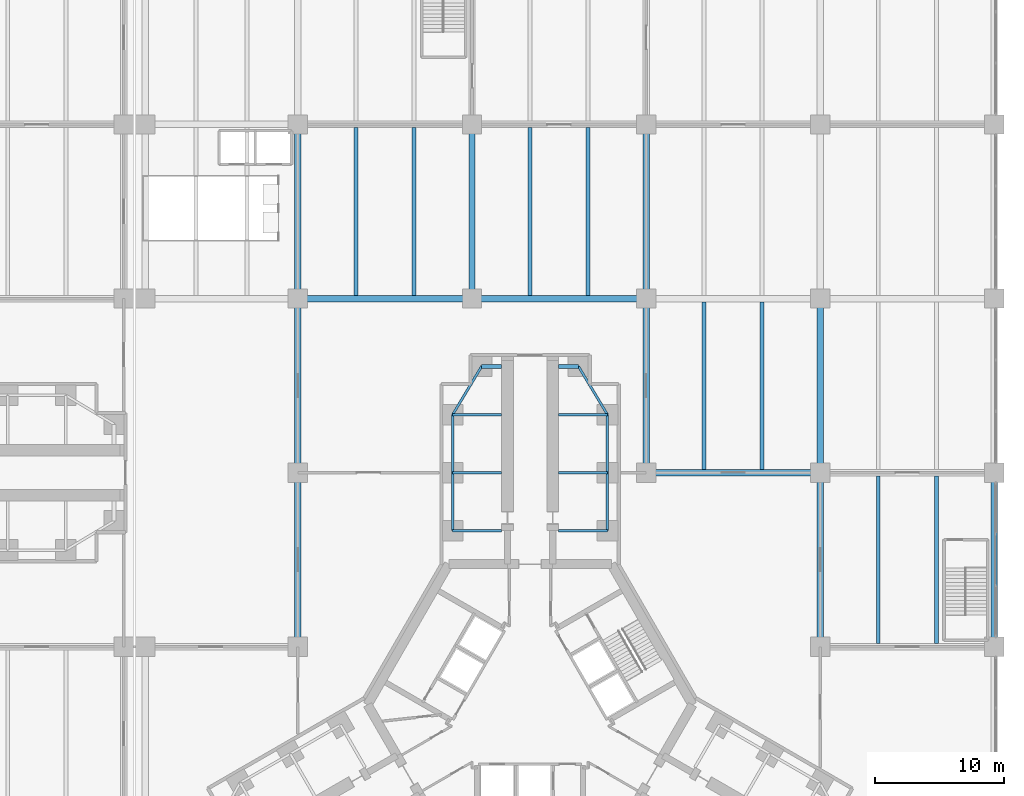
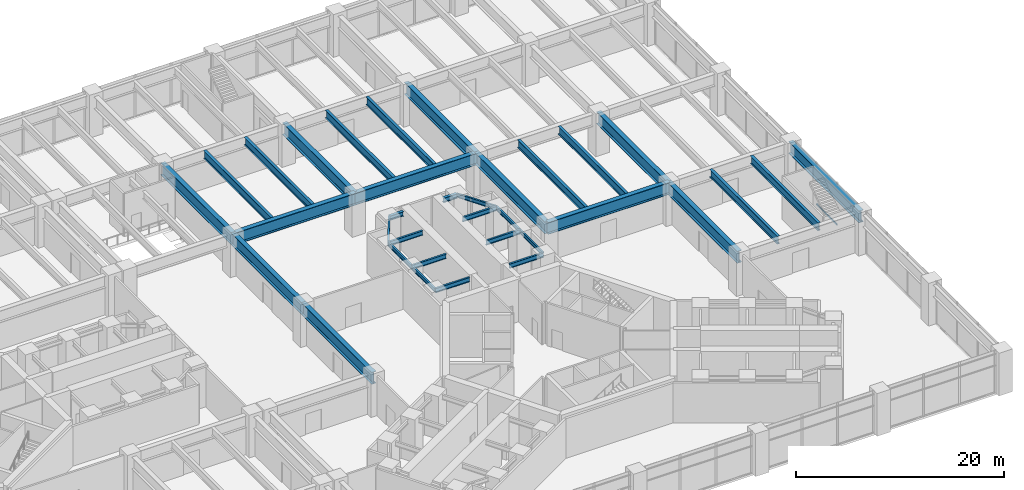
# One storey, part 11 of 31: 34 beams, 1 member, 1 element without a shape of its own.
"""IFC4 building model written with IfcOpenShell, lengths in metres."""

import ifcopenshell
import ifcopenshell.guid

model = None  # the IFC model being written
_history = None  # IfcOwnerHistory: only IFC2X3 demands one
_inside = {}  # id of a spatial element -> (the spatial element, [elements in it])
_under = {}  # id of a project, library or spatial element -> (it, [spatial elements below it])
_declared = {}  # id of a project -> (the project, [libraries it declares])
_typed = {}  # id of a type object -> (the type object, [elements of that type])
_made_of = {}  # id of a material, layer set ... -> (it, [elements and type objects made of it])


def new_model(schema):
    """Start an empty IFC model of exactly this schema.

    Asked for "IFC4X3", IfcOpenShell would pick the latest addendum, in which some entities
    have other attributes; the version numbers below select the first issue.
    IFC2X3 requires an IfcOwnerHistory on every rooted entity: one is made here for all.
    """
    global model, _history
    if schema == "IFC4X3":
        model = ifcopenshell.file(schema_version=(4, 3, 0, 0))
    else:
        model = ifcopenshell.file(schema=schema)
    _inside.clear()
    _under.clear()
    _declared.clear()
    _typed.clear()
    _made_of.clear()
    _history = None
    if model.schema == "IFC2X3":
        org = make("IfcOrganization", Name="unknown")
        user = make(
            "IfcPersonAndOrganization",
            ThePerson=make("IfcPerson", FamilyName="unknown"),
            TheOrganization=org,
        )
        app = make(
            "IfcApplication",
            ApplicationDeveloper=org,
            Version="unknown",
            ApplicationFullName="unknown",
            ApplicationIdentifier="unknown",
        )
        _history = make(
            "IfcOwnerHistory",
            OwningUser=user,
            OwningApplication=app,
            ChangeAction="ADDED",
            CreationDate=0,
        )
    return model


def make(cls, **values):
    """One entity of the class cls with the attributes given. An attribute that is None is left unset."""
    return model.create_entity(
        cls, **{name: value for name, value in values.items() if value is not None}
    )


def rooted(cls, **values):
    """An entity with a GlobalId (a new one), such as an element, a storey or a relation."""
    return make(cls, GlobalId=ifcopenshell.guid.new(), OwnerHistory=_history, **values)


def si_unit(unit_type, name, prefix=None):
    """IfcSIUnit, for example si_unit("LENGTHUNIT", "METRE", prefix="MILLI")."""
    return make("IfcSIUnit", UnitType=unit_type, Prefix=prefix, Name=name)


def assignment(units):
    """IfcUnitAssignment: the units of a project."""
    return None if units is None else make("IfcUnitAssignment", Units=units)


def point(xyz):
    """IfcCartesianPoint."""
    return None if xyz is None else make("IfcCartesianPoint", Coordinates=xyz)


def direction(xyz):
    """IfcDirection."""
    return None if xyz is None else make("IfcDirection", DirectionRatios=xyz)


def frame(location, z_axis=None, x_axis=None):
    """IfcAxis2Placement3D, a coordinate frame: its origin and axes. An axis left out is left unset."""
    return make(
        "IfcAxis2Placement3D",
        Location=point(location),
        Axis=direction(z_axis),
        RefDirection=direction(x_axis),
    )


def frame_2d(location, x_axis=None):
    """IfcAxis2Placement2D, a coordinate frame in the plane: its origin and x axis."""
    return make(
        "IfcAxis2Placement2D", Location=point(location), RefDirection=direction(x_axis)
    )


def origin():
    """The frame at (0, 0, 0) with its axes left unset."""
    return frame((0.0, 0.0, 0.0))


def origin_2d():
    """The frame at (0, 0) in the plane with its x axis left unset."""
    return frame_2d((0.0, 0.0))


def place(relative_to, where):
    """IfcLocalPlacement: puts the frame where relative to a parent placement (None: the world)."""
    return make(
        "IfcLocalPlacement", PlacementRelTo=relative_to, RelativePlacement=where
    )


def context(
    kind, dimensions, precision=None, world=None, true_north=None, identifier=None
):
    """IfcGeometricRepresentationContext, for example the 3D "Model" context."""
    return make(
        "IfcGeometricRepresentationContext",
        ContextIdentifier=identifier,
        ContextType=kind,
        CoordinateSpaceDimension=dimensions,
        Precision=precision,
        WorldCoordinateSystem=world,
        TrueNorth=true_north,
    )


def subcontext(parent, identifier, kind, view, scale=None):
    """IfcGeometricRepresentationSubContext, for example "Body" below "Model"."""
    return make(
        "IfcGeometricRepresentationSubContext",
        ContextIdentifier=identifier,
        ContextType=kind,
        ParentContext=parent,
        TargetScale=scale,
        TargetView=view,
    )


def project(units=None, contexts=None):
    """IfcProject with its units and contexts."""
    return rooted(
        "IfcProject",
        Name="project",
        RepresentationContexts=contexts,
        UnitsInContext=assignment(units),
    )


def spatial(cls, under=None, at=None, **own):
    """A site, building, storey or space (cls), placed at a placement, below another one or the project."""
    s = rooted(cls, ObjectPlacement=at, **own)
    if under is not None:
        _under.setdefault(under.id(), (under, []))[1].append(s)
    return s


def profile(cls, at=None, kind="AREA", **sizes):
    """A parametric profile (cls). Its sizes go by their IFC names, for example OverallWidth=200.0."""
    return make(cls, ProfileType=kind, Position=at, **sizes)


def rectangle(**sizes):
    """IfcRectangleProfileDef."""
    return profile("IfcRectangleProfileDef", **sizes)


def i_section(**sizes):
    """IfcIShapeProfileDef."""
    return profile("IfcIShapeProfileDef", **sizes)


def extrude(swept, where, along, depth):
    """IfcExtrudedAreaSolid: the profile swept, set in the frame where, extruded along a direction by depth."""
    return make(
        "IfcExtrudedAreaSolid",
        SweptArea=swept,
        Position=where,
        ExtrudedDirection=direction(along),
        Depth=depth,
    )


def shape(context_of_items, identifier, shape_type, items):
    """IfcShapeRepresentation: the items that make up one representation, for example the "Body"."""
    return make(
        "IfcShapeRepresentation",
        ContextOfItems=context_of_items,
        RepresentationIdentifier=identifier,
        RepresentationType=shape_type,
        Items=items,
    )


def material(Name=None, Category=None):
    """IfcMaterial."""
    return make("IfcMaterial", Name=Name, Category=Category)


def material_profile(
    of_material, cross_section, Name=None, Category=None, Priority=None
):
    """IfcMaterialProfile: a cross section and its material."""
    return make(
        "IfcMaterialProfile",
        Name=Name,
        Material=of_material,
        Profile=cross_section,
        Priority=Priority,
        Category=Category,
    )


def profile_set(profiles, Name=None, composite=None):
    """IfcMaterialProfileSet."""
    return make(
        "IfcMaterialProfileSet",
        Name=Name,
        MaterialProfiles=profiles,
        CompositeProfile=composite,
    )


def made_of(thing, what):
    """Note that an element or type object is made of a material, layer set ...; save() writes the relation."""
    if what is not None:
        _made_of.setdefault(what.id(), (what, []))[1].append(thing)
    return thing


def type_object(cls, material=None, **own):
    """A type object (cls), such as IfcWallType, which elements share."""
    return made_of(rooted(cls, **own), material)


def element(
    cls,
    number,
    at=None,
    inside=None,
    cuts=None,
    type_object=None,
    material=None,
    context=None,
    identifier="Body",
    shape_type=None,
    held_by="IfcProductDefinitionShape",
    body=None,
    shapes=None,
    **own,
):
    """One element of the class cls, such as IfcWall. Its Tag is "e" and its number.

    at: its placement. inside: the storey or other place that contains it. cuts: it is an
    opening in that element (IfcRelVoidsElement). A single representation is given by context,
    identifier, shape_type and body (its items); several are given by shapes. held_by: the class
    of the entity that holds the representations. save() writes the other relations.
    """
    e = rooted(cls, Tag="e%d" % number, ObjectPlacement=at, **own)
    if body is not None:
        shapes = [shape(context, identifier, shape_type, body)]
    if shapes is not None:
        e.Representation = make(held_by, Representations=shapes)
    if inside is not None:
        _inside.setdefault(inside.id(), (inside, []))[1].append(e)
    if cuts is not None:
        rooted(
            "IfcRelVoidsElement", RelatingBuildingElement=cuts, RelatedOpeningElement=e
        )
    if type_object is not None:
        _typed.setdefault(type_object.id(), (type_object, []))[1].append(e)
    return made_of(e, material)


def aggregate(whole, parts):
    """IfcRelAggregates: a whole, such as a stair, and the parts it consists of."""
    return rooted("IfcRelAggregates", RelatingObject=whole, RelatedObjects=parts)


def save(model, path):
    """Write the relations noted so far, then the file.

    IfcRelAggregates (storeys below a building ...), IfcRelContainedInSpatialStructure (elements
    in a storey), IfcRelDefinesByType, IfcRelAssociatesMaterial and IfcRelDeclares: one each for
    every whole, place, type object, material and project.
    """
    for whole, parts in _under.values():
        aggregate(whole, parts)
    for where, things in _inside.values():
        rooted(
            "IfcRelContainedInSpatialStructure",
            RelatedElements=things,
            RelatingStructure=where,
        )
    for kind, things in _typed.values():
        rooted("IfcRelDefinesByType", RelatedObjects=things, RelatingType=kind)
    for what, things in _made_of.values():
        rooted("IfcRelAssociatesMaterial", RelatedObjects=things, RelatingMaterial=what)
    for by, libraries in _declared.values():
        rooted("IfcRelDeclares", RelatingContext=by, RelatedDefinitions=libraries)
    model.write(path)


model = new_model("IFC4")

# Units and contexts
model_context = context("Model", 3, precision=1e-05, world=origin(), true_north=direction((0.0, 1.0)))
body_context = subcontext(model_context, "Body", "Model", "MODEL_VIEW")
ifc_project = project(units=[si_unit("LENGTHUNIT", "METRE"), si_unit("AREAUNIT", "SQUARE_METRE"), si_unit("VOLUMEUNIT", "CUBIC_METRE"), si_unit("PLANEANGLEUNIT", "RADIAN"), si_unit("MASSUNIT", "GRAM", prefix="KILO")], contexts=[model_context])

# Site, building, storey
site_placement = place(None, origin())
site = spatial("IfcSite", under=ifc_project, at=site_placement, CompositionType="ELEMENT")
building_placement = place(site_placement, origin())
building = spatial("IfcBuilding", under=site, at=building_placement, Name="Upepo Twin Towers", CompositionType="ELEMENT")
storey_placement = place(building_placement, frame((0.0, 0.0, 15.5)))
storey = spatial("IfcBuildingStorey", under=building, at=storey_placement, Name="L03", CompositionType="ELEMENT", Elevation=15.5)

# Beams
ifc_material_1 = material(Name="Steel S355", Category="steel")
ifc_material_profile_1 = material_profile(ifc_material_1, i_section(OverallWidth=0.5, OverallDepth=1.39990234375, WebThickness=0.02490234375, FlangeThickness=0.050048828125, FilletRadius=0.008056640625, at=origin_2d()), Name="PG 1400x500x25x50")
ifc_profile_set_1 = profile_set([ifc_material_profile_1], Name="Steel S355")
beam_type_1 = type_object("IfcBeamType", Name="Beam PG 1400x500x25x50", PredefinedType="BEAM", material=ifc_profile_set_1)
for number, where, z_axis, x_axis, name in (
    (1, (67.5, 0.0, 3.949951171875), (1.0, 0.0, 0.0), (0.0, 1.0, 0.0), "Podium girder D/8-9"),
    (2, (40.5, 13.5, 3.949951171875), (1.0, 0.0, 0.0), (0.0, 1.0, 0.0), "Podium girder E/6-7"),
    (3, (54.0, 13.5, 3.949951171875), (1.0, 0.0, 0.0), (0.0, 1.0, 0.0), "Podium girder E/7-8"),
    (4, (40.5, -13.5, 3.949951171875), (0.0, 1.0, 0.0), (-1.0, 0.0, 0.0), "Podium girder 6/C-D"),
    (5, (40.5, 0.0, 3.949951171875), (0.0, 1.0, 0.0), (-1.0, 0.0, 0.0), "Podium girder 6/D-E"),
    (6, (40.5, 13.5, 3.949951171875), (0.0, 1.0, 0.0), (-1.0, 0.0, 0.0), "Podium girder 6/E-F"),
    (7, (54.0, 13.5, 3.949951171875), (0.0, 1.0, 0.0), (-1.0, 0.0, 0.0), "Podium girder 7/E-F"),
    (8, (67.5, 0.0, 3.949951171875), (0.0, 1.0, 0.0), (-1.0, 0.0, 0.0), "Podium girder 8/D-E"),
    (9, (67.5, 13.5, 3.949951171875), (0.0, 1.0, 0.0), (-1.0, 0.0, 0.0), "Podium girder 8/E-F"),
    (10, (81.0, -13.5, 3.949951171875), (0.0, 1.0, 0.0), (-1.0, 0.0, 0.0), "Podium girder 9/C-D"),
    (11, (81.0, 0.0, 3.949951171875), (0.0, 1.0, 0.0), (-1.0, 0.0, 0.0), "Podium girder 9/D-E"),
    (12, (94.5, -13.5, 3.949951171875), (0.0, 1.0, 0.0), (-1.0, 0.0, 0.0), "Podium girder 10/C-D"),
):
    element("IfcBeam", number, at=place(storey_placement, frame(where, z_axis=z_axis, x_axis=x_axis)), inside=storey, type_object=beam_type_1, Name=name, PredefinedType="BEAM", context=body_context, shape_type="SweptSolid", body=[
        extrude(i_section(OverallWidth=0.5, OverallDepth=1.39990234375, WebThickness=0.02490234375, FlangeThickness=0.050048828125, FilletRadius=0.008056640625, at=origin_2d()), origin(), (0.0, 0.0, 1.0), 13.5),
    ])
ifc_material_2 = material(Name="Steel S355", Category="steel")
ifc_material_profile_2 = material_profile(ifc_material_2, i_section(OverallWidth=0.1904296875, OverallDepth=0.45703125, WebThickness=0.009033203125, FlangeThickness=0.014404296875, FilletRadius=0.01025390625, at=origin_2d()), Name="UB 457x191x74")
ifc_profile_set_2 = profile_set([ifc_material_profile_2], Name="Steel S355")
beam_type_2 = type_object("IfcBeamType", Name="Beam UB 457x191x74", PredefinedType="BEAM", material=ifc_profile_set_2)
for number, where, z_axis, x_axis, name in (
    (13, (52.5, -4.5, 4.571533203125), (0.0, 1.0, 0.0), (-1.0, 0.0, 0.0), "T2 edge beam AL 13.5-18.0"),
    (14, (52.5, 0.0, 4.571533203125), (0.0, 1.0, 0.0), (-1.0, 0.0, 0.0), "T2 edge beam AL 18.0-22.5"),
):
    element("IfcBeam", number, at=place(storey_placement, frame(where, z_axis=z_axis, x_axis=x_axis)), inside=storey, type_object=beam_type_2, Name=name, PredefinedType="BEAM", context=body_context, shape_type="SweptSolid", body=[
        extrude(i_section(OverallWidth=0.1904296875, OverallDepth=0.45703125, WebThickness=0.009033203125, FlangeThickness=0.014404296875, FilletRadius=0.01025390625, at=origin_2d()), origin(), (0.0, 0.0, 1.0), 4.5),
    ])
beam_1_placement = place(storey_placement, frame((52.5, 4.5, 4.571533203125), z_axis=(0.514495755428, 0.857492925713, 0.0), x_axis=(-0.857492925713, 0.514495755428, 0.0)))
element("IfcBeam", 15, at=beam_1_placement, inside=storey, type_object=beam_type_2, Name="T2 nose edge beam AL", PredefinedType="BEAM", context=body_context, shape_type="SweptSolid", body=[
    extrude(i_section(OverallWidth=0.1904296875, OverallDepth=0.45703125, WebThickness=0.009033203125, FlangeThickness=0.014404296875, FilletRadius=0.01025390625, at=origin_2d()), origin(), (0.0, 0.0, 1.0), 4.373291015625),
])
for number, where, z_axis, x_axis, name in (
    (16, (64.5, -4.5, 4.571533203125), (0.0, 1.0, 0.0), (-1.0, 0.0, 0.0), "T2 edge beam AR 13.5-18.0"),
    (17, (64.5, 0.0, 4.571533203125), (0.0, 1.0, 0.0), (-1.0, 0.0, 0.0), "T2 edge beam AR 18.0-22.5"),
):
    element("IfcBeam", number, at=place(storey_placement, frame(where, z_axis=z_axis, x_axis=x_axis)), inside=storey, type_object=beam_type_2, Name=name, PredefinedType="BEAM", context=body_context, shape_type="SweptSolid", body=[
        extrude(i_section(OverallWidth=0.1904296875, OverallDepth=0.45703125, WebThickness=0.009033203125, FlangeThickness=0.014404296875, FilletRadius=0.01025390625, at=origin_2d()), origin(), (0.0, 0.0, 1.0), 4.5),
    ])
beam_2_placement = place(storey_placement, frame((64.5, 4.5, 4.571533203125), z_axis=(-0.514495755428, 0.857492925713, 0.0), x_axis=(-0.857492925713, -0.514495755428, 0.0)))
element("IfcBeam", 18, at=beam_2_placement, inside=storey, type_object=beam_type_2, Name="T2 nose edge beam AR", PredefinedType="BEAM", context=body_context, shape_type="SweptSolid", body=[
    extrude(i_section(OverallWidth=0.1904296875, OverallDepth=0.45703125, WebThickness=0.009033203125, FlangeThickness=0.014404296875, FilletRadius=0.01025390625, at=origin_2d()), origin(), (0.0, 0.0, 1.0), 4.373291015625),
])
ifc_material_3 = material(Name="Steel S355", Category="steel")
ifc_material_profile_3 = material_profile(ifc_material_3, i_section(OverallWidth=0.209228515625, OverallDepth=0.533203125, WebThickness=0.010009765625, FlangeThickness=0.015625, FilletRadius=0.0126953125, at=origin_2d()), Name="UB 533x210x92")
ifc_profile_set_3 = profile_set([ifc_material_profile_3], Name="Steel S355")
beam_type_3 = type_object("IfcBeamType", Name="Beam UB 533x210x92", PredefinedType="BEAM", material=ifc_profile_set_3)
for number, where, z_axis, x_axis, name in (
    (19, (52.5, -4.5, 4.533447265625), (1.0, 0.0, 0.0), (0.0, 1.0, 0.0), "T2 girder AL at 13.5"),
    (20, (52.5, 0.0, 4.533447265625), (1.0, 0.0, 0.0), (0.0, 1.0, 0.0), "T2 girder AL at 18.0"),
    (21, (52.5, 4.5, 4.533447265625), (1.0, 0.0, 0.0), (0.0, 1.0, 0.0), "T2 girder AL at 22.5"),
    (22, (64.5, -4.5, 4.533447265625), (-1.0, 0.0, 0.0), (0.0, -1.0, 0.0), "T2 girder AR at 13.5"),
    (23, (64.5, 0.0, 4.533447265625), (-1.0, 0.0, 0.0), (0.0, -1.0, 0.0), "T2 girder AR at 18.0"),
    (24, (64.5, 4.5, 4.533447265625), (-1.0, 0.0, 0.0), (0.0, -1.0, 0.0), "T2 girder AR at 22.5"),
):
    element("IfcBeam", number, at=place(storey_placement, frame(where, z_axis=z_axis, x_axis=x_axis)), inside=storey, type_object=beam_type_3, Name=name, PredefinedType="BEAM", context=body_context, shape_type="SweptSolid", body=[
        extrude(i_section(OverallWidth=0.209228515625, OverallDepth=0.533203125, WebThickness=0.010009765625, FlangeThickness=0.015625, FilletRadius=0.0126953125, at=origin_2d()), origin(), (0.0, 0.0, 1.0), 3.800048828125),
    ])
ifc_material_4 = material(Name="Steel S355", Category="steel")
ifc_material_profile_4 = material_profile(ifc_material_4, i_section(OverallWidth=0.31201171875, OverallDepth=0.54345703125, WebThickness=0.0126953125, FlangeThickness=0.020263671875, FilletRadius=0.0126953125, at=origin_2d()), Name="UB 533x312x150")
ifc_profile_set_4 = profile_set([ifc_material_profile_4], Name="Steel S355")
beam_type_4 = type_object("IfcBeamType", Name="Beam UB 533x312x150", PredefinedType="BEAM", material=ifc_profile_set_4)
for number, where, z_axis, x_axis, name in (
    (25, (54.75, 8.25, 4.5283203125), (1.0, 0.0, 0.0), (0.0, 1.0, 0.0), "T2 nose beam AL"),
    (26, (62.25, 8.25, 4.5283203125), (-1.0, 0.0, 0.0), (0.0, -1.0, 0.0), "T2 nose beam AR"),
):
    element("IfcBeam", number, at=place(storey_placement, frame(where, z_axis=z_axis, x_axis=x_axis)), inside=storey, type_object=beam_type_4, Name=name, PredefinedType="BEAM", context=body_context, shape_type="SweptSolid", body=[
        extrude(i_section(OverallWidth=0.31201171875, OverallDepth=0.54345703125, WebThickness=0.0126953125, FlangeThickness=0.020263671875, FilletRadius=0.0126953125, at=origin_2d()), origin(), (0.0, 0.0, 1.0), 1.550048828125),
    ])
ifc_material_5 = material(Name="Steel S355", Category="steel")
ifc_material_profile_5 = material_profile(ifc_material_5, i_section(OverallWidth=0.305419921875, OverallDepth=0.91845703125, WebThickness=0.017333984375, FlangeThickness=0.02783203125, FilletRadius=0.01904296875, at=origin_2d()), Name="UB 914x305x253")
ifc_profile_set_5 = profile_set([ifc_material_profile_5], Name="Steel S355")
beam_type_5 = type_object("IfcBeamType", Name="Secondary beam UB 914x305x253", PredefinedType="JOIST", material=ifc_profile_set_5)
for number, where, z_axis, x_axis, name in (
    (27, (45.0, 13.75, 4.19091796875), (0.0, 1.0, 0.0), (-1.0, 0.0, 0.0), "Podium secondary beam E6.1"),
    (28, (49.5, 13.75, 4.19091796875), (0.0, 1.0, 0.0), (-1.0, 0.0, 0.0), "Podium secondary beam E6.2"),
    (29, (58.5, 13.75, 4.19091796875), (0.0, 1.0, 0.0), (-1.0, 0.0, 0.0), "Podium secondary beam E7.1"),
    (30, (63.0, 13.75, 4.19091796875), (0.0, 1.0, 0.0), (-1.0, 0.0, 0.0), "Podium secondary beam E7.2"),
    (31, (72.0, 0.25, 4.19091796875), (0.0, 1.0, 0.0), (-1.0, 0.0, 0.0), "Podium secondary beam D8.1"),
    (32, (76.5, 0.25, 4.19091796875), (0.0, 1.0, 0.0), (-1.0, 0.0, 0.0), "Podium secondary beam D8.2"),
    (33, (85.5, -13.25, 4.19091796875), (0.0, 1.0, 0.0), (-1.0, 0.0, 0.0), "Podium secondary beam C9.1"),
    (34, (90.0, -13.25, 4.19091796875), (0.0, 1.0, 0.0), (-1.0, 0.0, 0.0), "Podium secondary beam C9.2"),
):
    element("IfcBeam", number, at=place(storey_placement, frame(where, z_axis=z_axis, x_axis=x_axis)), inside=storey, type_object=beam_type_5, Name=name, PredefinedType="JOIST", context=body_context, shape_type="SweptSolid", body=[
        extrude(i_section(OverallWidth=0.305419921875, OverallDepth=0.91845703125, WebThickness=0.017333984375, FlangeThickness=0.02783203125, FilletRadius=0.01904296875, at=origin_2d()), origin(), (0.0, 0.0, 1.0), 13.0),
    ])

# Curtain wall, member
ifc_material_6 = material(Name="Aluminium and clear glass", Category="aluminium")
curtain_wall_type = type_object("IfcCurtainWallType", Name="Podium curtain wall PW1", PredefinedType="NOTDEFINED", material=ifc_material_6)
curtain_wall_placement = place(storey_placement, origin())
curtain_wall = element("IfcCurtainWall", 35, at=curtain_wall_placement, inside=storey, type_object=curtain_wall_type, Name="Podium L03 curtain wall E3", PredefinedType="NOTDEFINED")
ifc_material_7 = material(Name="Aluminium transom", Category="aluminium")
ifc_material_profile_6 = material_profile(ifc_material_7, rectangle(XDim=0.06494140625, YDim=0.14990234375, at=origin_2d()), Name="TRANSOM 65x150 PODIUM")
ifc_profile_set_6 = profile_set([ifc_material_profile_6], Name="Aluminium transom")
member_type = type_object("IfcMemberType", Name="Transom 65x150 PW1", PredefinedType="USERDEFINED", material=ifc_profile_set_6)
member_placement = place(storey_placement, frame((94.60009765625, -8.705810546875, 0.074951171875), z_axis=(0.0, 1.0, 0.0), x_axis=(-1.0, 0.0, 0.0)))
member = element("IfcMember", 36, at=member_placement, type_object=member_type, Name="Podium L03 curtain wall E3 transom 2", ObjectType="TRANSOM", PredefinedType="USERDEFINED", context=body_context, shape_type="SweptSolid", body=[
    extrude(rectangle(XDim=0.06494140625, YDim=0.14990234375, at=origin_2d()), origin(), (0.0, 0.0, 1.0), 3.91162109375),
])
aggregate(curtain_wall, [member])

save(model, "model.ifc")
